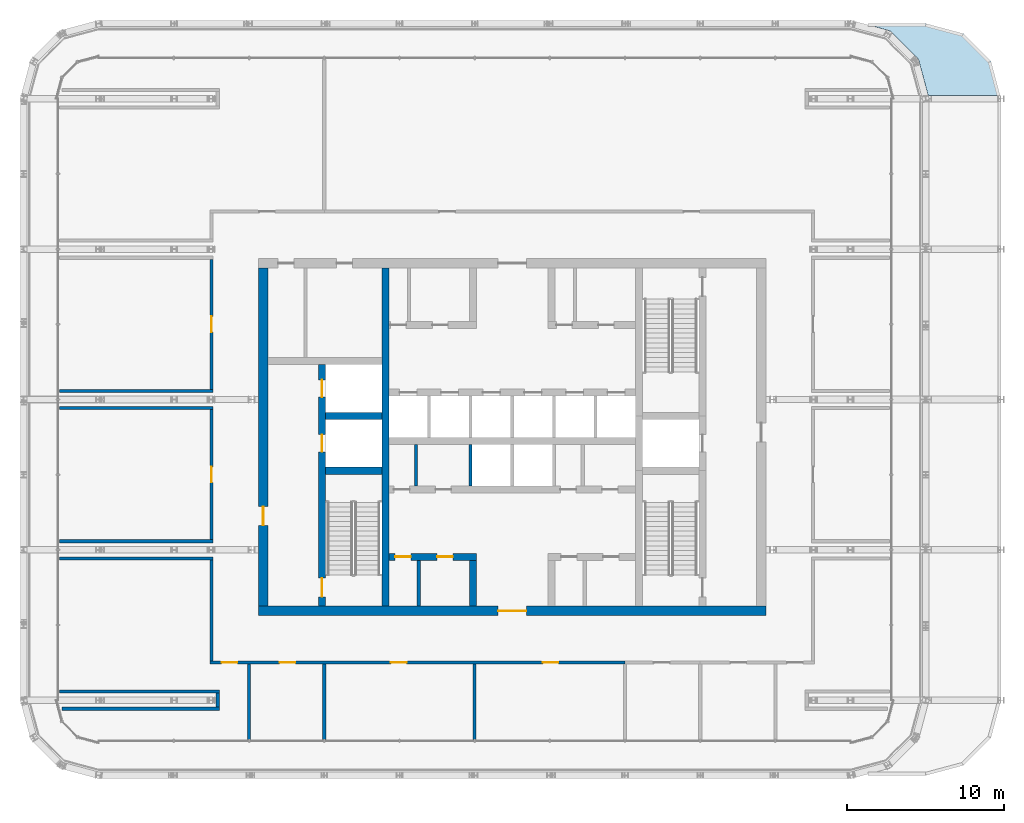
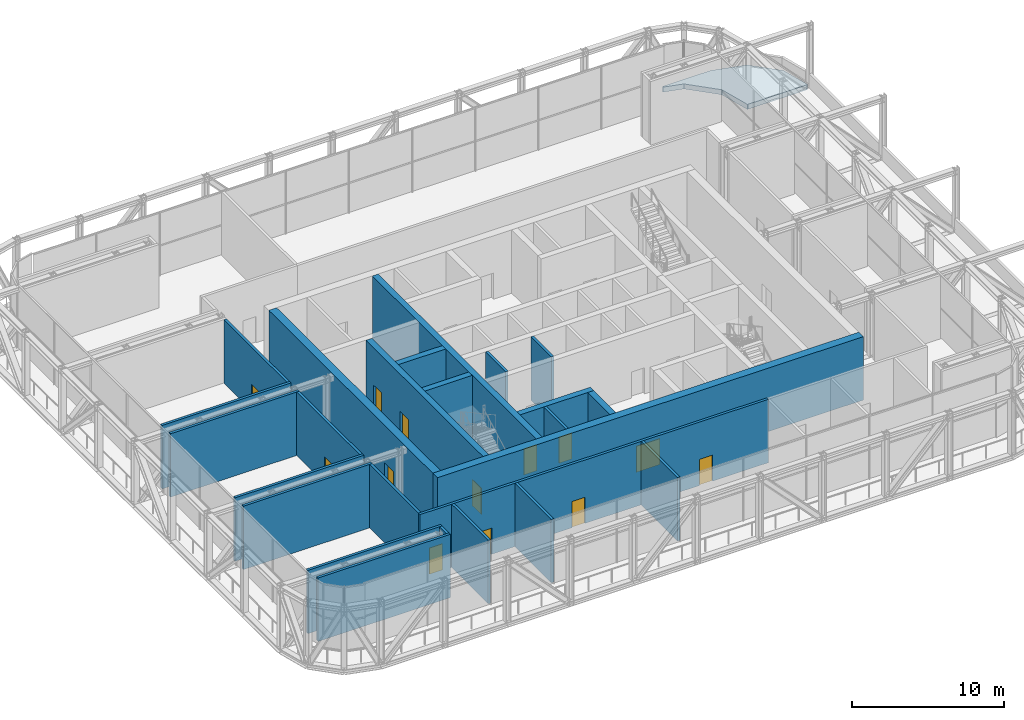
# One storey, part 18 of 26: 25 walls, 13 doors, 1 slab, 13 openings.
"""IFC4 building model written with IfcOpenShell, lengths in metres."""

import ifcopenshell
import ifcopenshell.guid

model = None  # the IFC model being written
_history = None  # IfcOwnerHistory: only IFC2X3 demands one
_inside = {}  # id of a spatial element -> (the spatial element, [elements in it])
_under = {}  # id of a project, library or spatial element -> (it, [spatial elements below it])
_declared = {}  # id of a project -> (the project, [libraries it declares])
_typed = {}  # id of a type object -> (the type object, [elements of that type])
_made_of = {}  # id of a material, layer set ... -> (it, [elements and type objects made of it])


def new_model(schema):
    """Start an empty IFC model of exactly this schema.

    Asked for "IFC4X3", IfcOpenShell would pick the latest addendum, in which some entities
    have other attributes; the version numbers below select the first issue.
    IFC2X3 requires an IfcOwnerHistory on every rooted entity: one is made here for all.
    """
    global model, _history
    if schema == "IFC4X3":
        model = ifcopenshell.file(schema_version=(4, 3, 0, 0))
    else:
        model = ifcopenshell.file(schema=schema)
    _inside.clear()
    _under.clear()
    _declared.clear()
    _typed.clear()
    _made_of.clear()
    _history = None
    if model.schema == "IFC2X3":
        org = make("IfcOrganization", Name="unknown")
        user = make(
            "IfcPersonAndOrganization",
            ThePerson=make("IfcPerson", FamilyName="unknown"),
            TheOrganization=org,
        )
        app = make(
            "IfcApplication",
            ApplicationDeveloper=org,
            Version="unknown",
            ApplicationFullName="unknown",
            ApplicationIdentifier="unknown",
        )
        _history = make(
            "IfcOwnerHistory",
            OwningUser=user,
            OwningApplication=app,
            ChangeAction="ADDED",
            CreationDate=0,
        )
    return model


def make(cls, **values):
    """One entity of the class cls with the attributes given. An attribute that is None is left unset."""
    return model.create_entity(
        cls, **{name: value for name, value in values.items() if value is not None}
    )


def rooted(cls, **values):
    """An entity with a GlobalId (a new one), such as an element, a storey or a relation."""
    return make(cls, GlobalId=ifcopenshell.guid.new(), OwnerHistory=_history, **values)


def si_unit(unit_type, name, prefix=None):
    """IfcSIUnit, for example si_unit("LENGTHUNIT", "METRE", prefix="MILLI")."""
    return make("IfcSIUnit", UnitType=unit_type, Prefix=prefix, Name=name)


def assignment(units):
    """IfcUnitAssignment: the units of a project."""
    return None if units is None else make("IfcUnitAssignment", Units=units)


def point(xyz):
    """IfcCartesianPoint."""
    return None if xyz is None else make("IfcCartesianPoint", Coordinates=xyz)


def direction(xyz):
    """IfcDirection."""
    return None if xyz is None else make("IfcDirection", DirectionRatios=xyz)


def frame(location, z_axis=None, x_axis=None):
    """IfcAxis2Placement3D, a coordinate frame: its origin and axes. An axis left out is left unset."""
    return make(
        "IfcAxis2Placement3D",
        Location=point(location),
        Axis=direction(z_axis),
        RefDirection=direction(x_axis),
    )


def frame_2d(location, x_axis=None):
    """IfcAxis2Placement2D, a coordinate frame in the plane: its origin and x axis."""
    return make(
        "IfcAxis2Placement2D", Location=point(location), RefDirection=direction(x_axis)
    )


def origin():
    """The frame at (0, 0, 0) with its axes left unset."""
    return frame((0.0, 0.0, 0.0))


def place(relative_to, where):
    """IfcLocalPlacement: puts the frame where relative to a parent placement (None: the world)."""
    return make(
        "IfcLocalPlacement", PlacementRelTo=relative_to, RelativePlacement=where
    )


def context(
    kind, dimensions, precision=None, world=None, true_north=None, identifier=None
):
    """IfcGeometricRepresentationContext, for example the 3D "Model" context."""
    return make(
        "IfcGeometricRepresentationContext",
        ContextIdentifier=identifier,
        ContextType=kind,
        CoordinateSpaceDimension=dimensions,
        Precision=precision,
        WorldCoordinateSystem=world,
        TrueNorth=true_north,
    )


def subcontext(parent, identifier, kind, view, scale=None):
    """IfcGeometricRepresentationSubContext, for example "Body" below "Model"."""
    return make(
        "IfcGeometricRepresentationSubContext",
        ContextIdentifier=identifier,
        ContextType=kind,
        ParentContext=parent,
        TargetScale=scale,
        TargetView=view,
    )


def project(units=None, contexts=None):
    """IfcProject with its units and contexts."""
    return rooted(
        "IfcProject",
        Name="project",
        RepresentationContexts=contexts,
        UnitsInContext=assignment(units),
    )


def spatial(cls, under=None, at=None, **own):
    """A site, building, storey or space (cls), placed at a placement, below another one or the project."""
    s = rooted(cls, ObjectPlacement=at, **own)
    if under is not None:
        _under.setdefault(under.id(), (under, []))[1].append(s)
    return s


def polyline(points):
    """IfcPolyline through the points."""
    return make("IfcPolyline", Points=[point(p) for p in points])


def profile(cls, at=None, kind="AREA", **sizes):
    """A parametric profile (cls). Its sizes go by their IFC names, for example OverallWidth=200.0."""
    return make(cls, ProfileType=kind, Position=at, **sizes)


def rectangle(**sizes):
    """IfcRectangleProfileDef."""
    return profile("IfcRectangleProfileDef", **sizes)


def outline(outer, holes=None, kind="AREA"):
    """IfcArbitraryClosedProfileDef: a profile drawn as a closed curve; with holes, ...WithVoids."""
    if holes is None:
        return make("IfcArbitraryClosedProfileDef", ProfileType=kind, OuterCurve=outer)
    return make(
        "IfcArbitraryProfileDefWithVoids",
        ProfileType=kind,
        OuterCurve=outer,
        InnerCurves=holes,
    )


def extrude(swept, where, along, depth):
    """IfcExtrudedAreaSolid: the profile swept, set in the frame where, extruded along a direction by depth."""
    return make(
        "IfcExtrudedAreaSolid",
        SweptArea=swept,
        Position=where,
        ExtrudedDirection=direction(along),
        Depth=depth,
    )


def shape(context_of_items, identifier, shape_type, items):
    """IfcShapeRepresentation: the items that make up one representation, for example the "Body"."""
    return make(
        "IfcShapeRepresentation",
        ContextOfItems=context_of_items,
        RepresentationIdentifier=identifier,
        RepresentationType=shape_type,
        Items=items,
    )


def material(Name=None, Category=None):
    """IfcMaterial."""
    return make("IfcMaterial", Name=Name, Category=Category)


def layer(
    of_material, thickness, ventilated=None, Name=None, Category=None, Priority=None
):
    """IfcMaterialLayer: one layer of a wall or slab, of a material (None: an air gap)."""
    return make(
        "IfcMaterialLayer",
        Material=of_material,
        LayerThickness=thickness,
        IsVentilated=ventilated,
        Name=Name,
        Category=Category,
        Priority=Priority,
    )


def layer_set(layers, Name=None):
    """IfcMaterialLayerSet."""
    return make("IfcMaterialLayerSet", MaterialLayers=layers, LayerSetName=Name)


def made_of(thing, what):
    """Note that an element or type object is made of a material, layer set ...; save() writes the relation."""
    if what is not None:
        _made_of.setdefault(what.id(), (what, []))[1].append(thing)
    return thing


def type_object(cls, material=None, **own):
    """A type object (cls), such as IfcWallType, which elements share."""
    return made_of(rooted(cls, **own), material)


def element(
    cls,
    number,
    at=None,
    inside=None,
    cuts=None,
    type_object=None,
    material=None,
    context=None,
    identifier="Body",
    shape_type=None,
    held_by="IfcProductDefinitionShape",
    body=None,
    shapes=None,
    **own,
):
    """One element of the class cls, such as IfcWall. Its Tag is "e" and its number.

    at: its placement. inside: the storey or other place that contains it. cuts: it is an
    opening in that element (IfcRelVoidsElement). A single representation is given by context,
    identifier, shape_type and body (its items); several are given by shapes. held_by: the class
    of the entity that holds the representations. save() writes the other relations.
    """
    e = rooted(cls, Tag="e%d" % number, ObjectPlacement=at, **own)
    if body is not None:
        shapes = [shape(context, identifier, shape_type, body)]
    if shapes is not None:
        e.Representation = make(held_by, Representations=shapes)
    if inside is not None:
        _inside.setdefault(inside.id(), (inside, []))[1].append(e)
    if cuts is not None:
        rooted(
            "IfcRelVoidsElement", RelatingBuildingElement=cuts, RelatedOpeningElement=e
        )
    if type_object is not None:
        _typed.setdefault(type_object.id(), (type_object, []))[1].append(e)
    return made_of(e, material)


def fill(opening, filler):
    """IfcRelFillsElement: the door or window that sits in an opening."""
    return rooted(
        "IfcRelFillsElement",
        RelatingOpeningElement=opening,
        RelatedBuildingElement=filler,
    )


def aggregate(whole, parts):
    """IfcRelAggregates: a whole, such as a stair, and the parts it consists of."""
    return rooted("IfcRelAggregates", RelatingObject=whole, RelatedObjects=parts)


def save(model, path):
    """Write the relations noted so far, then the file.

    IfcRelAggregates (storeys below a building ...), IfcRelContainedInSpatialStructure (elements
    in a storey), IfcRelDefinesByType, IfcRelAssociatesMaterial and IfcRelDeclares: one each for
    every whole, place, type object, material and project.
    """
    for whole, parts in _under.values():
        aggregate(whole, parts)
    for where, things in _inside.values():
        rooted(
            "IfcRelContainedInSpatialStructure",
            RelatedElements=things,
            RelatingStructure=where,
        )
    for kind, things in _typed.values():
        rooted("IfcRelDefinesByType", RelatedObjects=things, RelatingType=kind)
    for what, things in _made_of.values():
        rooted("IfcRelAssociatesMaterial", RelatedObjects=things, RelatingMaterial=what)
    for by, libraries in _declared.values():
        rooted("IfcRelDeclares", RelatingContext=by, RelatedDefinitions=libraries)
    model.write(path)


model = new_model("IFC4")

# Units and contexts
model_context = context("Model", 3, precision=1e-05, world=origin(), true_north=direction((0.0, 1.0)))
body_context = subcontext(model_context, "Body", "Model", "MODEL_VIEW")
ifc_project = project(units=[si_unit("LENGTHUNIT", "METRE"), si_unit("AREAUNIT", "SQUARE_METRE"), si_unit("VOLUMEUNIT", "CUBIC_METRE"), si_unit("PLANEANGLEUNIT", "RADIAN"), si_unit("MASSUNIT", "GRAM", prefix="KILO")], contexts=[model_context])

# Site, building, storey
site_placement = place(None, origin())
site = spatial("IfcSite", under=ifc_project, at=site_placement, CompositionType="ELEMENT")
building_placement = place(site_placement, origin())
building = spatial("IfcBuilding", under=site, at=building_placement, Name="Madar Terraces", CompositionType="ELEMENT")
storey_placement = place(building_placement, frame((0.0, 0.0, 233.300048828125)))
storey = spatial("IfcBuildingStorey", under=building, at=storey_placement, Name="L61", CompositionType="ELEMENT", Elevation=233.300048828125)

# Slab
ifc_material_1 = material(Name="Concrete C50/60", Category="concrete")
ifc_layer_1 = layer(ifc_material_1, 0.39990234375)
ifc_layer_set_1 = layer_set([ifc_layer_1], Name="TS1 PT terrace slab 400")
slab_type = type_object("IfcSlabType", Name="TS1 PT terrace slab 400", PredefinedType="FLOOR", material=ifc_layer_set_1)
slab_placement = place(storey_placement, frame((0.0, 0.0, -0.400146484375)))
element("IfcSlab", 1, at=slab_placement, inside=storey, type_object=slab_type, Name="Terrace roof slab L61 (2)", PredefinedType="FLOOR", context=body_context, shape_type="SweptSolid", body=[
    extrude(outline(polyline([(53.956787109375, 52.70166015625), (55.3046875, 52.340576171875), (55.305908203125, 52.340087890625), (55.306884765625, 52.33935546875), (57.139404296875, 50.5068359375), (57.14013671875, 50.505859375), (57.140625, 50.504638671875), (57.7470703125, 48.241455078125), (57.74853515625, 48.23681640625), (57.75048828125, 48.232177734375), (57.7529296875, 48.227783203125), (57.755859375, 48.2236328125), (57.75927734375, 48.2197265625), (57.762939453125, 48.21630859375), (57.766845703125, 48.21337890625), (57.771240234375, 48.210693359375), (57.775634765625, 48.20849609375), (57.7802734375, 48.206787109375), (57.78515625, 48.20556640625), (57.790283203125, 48.204833984375), (57.795166015625, 48.20458984375), (62.280029296875, 48.20458984375), (62.284912109375, 48.20458984375), (62.28955078125, 48.205322265625), (62.29443359375, 48.20654296875), (62.298828125, 48.208251953125), (62.30322265625, 48.210205078125), (62.307373046875, 48.212646484375), (62.311279296875, 48.21533203125), (62.31494140625, 48.21875), (62.318115234375, 48.22216796875), (62.321044921875, 48.22607421875), (62.32373046875, 48.22998046875), (62.325927734375, 48.234375), (62.32763671875, 48.23876953125), (62.328857421875, 48.24365234375), (62.32958984375, 48.248291015625), (62.330078125, 48.253173828125), (62.329833984375, 48.2578125), (62.329345703125, 48.2626953125), (62.328369140625, 48.267333984375), (61.760498046875, 50.386962890625), (61.7587890625, 50.39208984375), (61.756591796875, 50.396728515625), (61.75390625, 50.4013671875), (61.7509765625, 50.405517578125), (61.74755859375, 50.409423828125), (60.009521484375, 52.1474609375), (60.005615234375, 52.15087890625), (60.00146484375, 52.154052734375), (59.996826171875, 52.15673828125), (59.991943359375, 52.15869140625), (59.987060546875, 52.160400390625), (57.6064453125, 52.79833984375), (57.60205078125, 52.79931640625), (57.59765625, 52.7998046875), (57.593505859375, 52.800048828125), (53.9697265625, 52.800048828125), (53.96484375, 52.7998046875), (53.9599609375, 52.799072265625), (53.955078125, 52.7978515625), (53.950439453125, 52.796142578125), (53.946044921875, 52.7939453125), (53.941650390625, 52.79150390625), (53.937744140625, 52.788330078125), (53.93408203125, 52.78515625), (53.930908203125, 52.78125), (53.927978515625, 52.77734375), (53.92529296875, 52.77294921875), (53.92333984375, 52.7685546875), (53.921630859375, 52.763916015625), (53.920654296875, 52.759033203125), (53.919921875, 52.754150390625), (53.919921875, 52.7490234375), (53.920166015625, 52.744140625), (53.9208984375, 52.7392578125), (53.92236328125, 52.734375), (53.924072265625, 52.729736328125), (53.92626953125, 52.725341796875), (53.928955078125, 52.72119140625), (53.931884765625, 52.71728515625), (53.935302734375, 52.713623046875), (53.939208984375, 52.71044921875), (53.943359375, 52.70751953125), (53.947509765625, 52.705322265625), (53.9521484375, 52.703125), (53.956787109375, 52.70166015625)])), origin(), (0.0, 0.0, 1.0), 0.400146484375),
])

# Wall, openings, doors
ifc_material_2 = material(Name="Concrete C55/67", Category="concrete")
ifc_layer_2 = layer(ifc_material_2, 0.449951171875)
ifc_layer_set_2 = layer_set([ifc_layer_2], Name="Concrete C55/67 (CIW5 RC wall 450)")
wall_type_1 = type_object("IfcWallType", Name="CIW5 RC wall 450", PredefinedType="SHEAR", material=ifc_layer_set_2)
wall_1_placement = place(storey_placement, frame((19.050048828125, 15.60009765625, 0.0), z_axis=(0.0, 0.0, 1.0), x_axis=(0.0, 1.0, 0.0)))
wall_1 = element("IfcWall", 2, at=wall_1_placement, inside=storey, type_object=wall_type_1, Name="CORE SHAFT WALL", PredefinedType="SHEAR", context=body_context, shape_type="SweptSolid", body=[
    extrude(rectangle(XDim=15.4248046875, YDim=0.449951171875, at=frame_2d((7.71240234375, 0.0))), origin(), (0.0, 0.0, 1.0), 5.099853515625),
])
opening_1_placement = place(wall_1_placement, frame((9.85009765625, 0.0, 0.0)))
opening_1 = element("IfcOpeningElement", 3, at=opening_1_placement, cuts=wall_1, Name="Opening LD", PredefinedType="OPENING", context=body_context, shape_type="SweptSolid", body=[
    extrude(rectangle(XDim=1.10009765625, YDim=2.10009765625, at=frame_2d((0.550048828125, 1.050048828125))), frame((0.0, 0.23486328125, 0.0), z_axis=(0.0, -1.0, 0.0), x_axis=(1.0, 0.0, 0.0)), (0.0, 0.0, 1.0), 0.469970703125),
])
opening_2_placement = place(wall_1_placement, frame((13.35009765625, 0.0, 0.0)))
opening_2 = element("IfcOpeningElement", 4, at=opening_2_placement, cuts=wall_1, Name="Opening LD", PredefinedType="OPENING", context=body_context, shape_type="SweptSolid", body=[
    extrude(rectangle(XDim=1.10009765625, YDim=2.10009765625, at=frame_2d((0.550048828125, 1.050048828125))), frame((0.0, 0.23486328125, 0.0), z_axis=(0.0, -1.0, 0.0), x_axis=(1.0, 0.0, 0.0)), (0.0, 0.0, 1.0), 0.469970703125),
])
opening_3_placement = place(wall_1_placement, frame((0.60009765625, 0.0, 0.0)))
opening_3 = element("IfcOpeningElement", 5, at=opening_3_placement, cuts=wall_1, Name="Opening SD1", PredefinedType="OPENING", context=body_context, shape_type="SweptSolid", body=[
    extrude(rectangle(XDim=1.199951171875, YDim=2.10009765625, at=frame_2d((0.60009765625, 1.050048828125))), frame((0.0, 0.23486328125, 0.0), z_axis=(0.0, -1.0, 0.0), x_axis=(1.0, 0.0, 0.0)), (0.0, 0.0, 1.0), 0.469970703125),
])
ifc_material_3 = material(Name="Stainless steel panel", Category="steel")
door_type_1 = type_object("IfcDoorType", Name="Lift landing door 1100 x 2100", OperationType="DOUBLE_DOOR_SLIDING", PredefinedType="DOOR", material=ifc_material_3)
door_1_placement = place(opening_1_placement, origin())
door_1 = element("IfcDoor", 6, at=door_1_placement, inside=storey, type_object=door_type_1, Name="LIFT LANDING DOOR", OperationType="DOUBLE_DOOR_SLIDING", OverallHeight=2.10009765625, OverallWidth=1.10009765625, PredefinedType="DOOR", context=body_context, shape_type="SweptSolid", body=[
    extrude(rectangle(XDim=1.10009765625, YDim=2.10009765625, at=frame_2d((0.550048828125, 1.050048828125))), frame((0.0, 0.02490234375, 0.0), z_axis=(0.0, -1.0, 0.0), x_axis=(1.0, 0.0, 0.0)), (0.0, 0.0, 1.0), 0.050048828125),
])
fill(opening_1, door_1)
door_2_placement = place(opening_2_placement, origin())
door_2 = element("IfcDoor", 7, at=door_2_placement, inside=storey, type_object=door_type_1, Name="LIFT LANDING DOOR", OperationType="DOUBLE_DOOR_SLIDING", OverallHeight=2.10009765625, OverallWidth=1.10009765625, PredefinedType="DOOR", context=body_context, shape_type="SweptSolid", body=[
    extrude(rectangle(XDim=1.10009765625, YDim=2.10009765625, at=frame_2d((0.550048828125, 1.050048828125))), frame((0.0, 0.02490234375, 0.0), z_axis=(0.0, -1.0, 0.0), x_axis=(1.0, 0.0, 0.0)), (0.0, 0.0, 1.0), 0.050048828125),
])
fill(opening_2, door_2)
ifc_material_4 = material(Name="Steel door leaf", Category="steel")
door_type_2 = type_object("IfcDoorType", Name="Stair door 1200 x 2100", OperationType="NOTDEFINED", PredefinedType="DOOR", material=ifc_material_4)
door_3_placement = place(opening_3_placement, frame((1.199951171875, 0.0, 0.0), z_axis=(0.0, 0.0, 1.0), x_axis=(-1.0, 0.0, 0.0)))
door_3 = element("IfcDoor", 8, at=door_3_placement, inside=storey, type_object=door_type_2, Name="STAIR DOOR", OperationType="SINGLE_SWING_LEFT", OverallHeight=2.10009765625, OverallWidth=1.199951171875, PredefinedType="DOOR", context=body_context, shape_type="SweptSolid", body=[
    extrude(rectangle(XDim=1.199951171875, YDim=2.10009765625, at=frame_2d((0.60009765625, 1.050048828125))), frame((0.0, 0.02490234375, 0.0), z_axis=(0.0, -1.0, 0.0), x_axis=(1.0, 0.0, 0.0)), (0.0, 0.0, 1.0), 0.050048828125),
])
fill(opening_3, door_3)

# Walls
wall_2_placement = place(storey_placement, frame((23.10009765625, 15.60009765625, 0.0), z_axis=(0.0, 0.0, 1.0), x_axis=(0.0, 1.0, 0.0)))
element("IfcWall", 9, at=wall_2_placement, inside=storey, type_object=wall_type_1, Name="CORE SHAFT WALL", PredefinedType="SHEAR", context=body_context, shape_type="SweptSolid", body=[
    extrude(rectangle(XDim=21.599853515625, YDim=0.449951171875, at=frame_2d((10.7998046875, 0.0))), origin(), (0.0, 0.0, 1.0), 5.099853515625),
])
for number, where, z_axis, x_axis, name in (
    (10, (19.27490234375, 24.25, 0.0), (0.0, 0.0, 1.0), (1.0, 0.0, 0.0), "CORE SHAFT WALL"),
    (11, (19.27490234375, 27.75, 0.0), (0.0, 0.0, 1.0), (1.0, 0.0, 0.0), "CORE SHAFT WALL"),
):
    element("IfcWall", number, at=place(storey_placement, frame(where, z_axis=z_axis, x_axis=x_axis)), inside=storey, type_object=wall_type_1, Name=name, PredefinedType="SHEAR", context=body_context, shape_type="SweptSolid", body=[
        extrude(rectangle(XDim=3.60009765625, YDim=0.449951171875, at=frame_2d((1.800048828125, 0.0))), origin(), (0.0, 0.0, 1.0), 5.099853515625),
    ])

# Wall, openings, doors
wall_3_placement = place(storey_placement, frame((23.324951171875, 18.75, 0.0), z_axis=(0.0, 0.0, 1.0), x_axis=(1.0, 0.0, 0.0)))
wall_3 = element("IfcWall", 12, at=wall_3_placement, inside=storey, type_object=wall_type_1, Name="CORE SHAFT WALL", PredefinedType="SHEAR", context=body_context, shape_type="SweptSolid", body=[
    extrude(rectangle(XDim=5.60009765625, YDim=0.449951171875, at=frame_2d((2.800048828125, 0.0))), origin(), (0.0, 0.0, 1.0), 5.099853515625),
])
opening_4_placement = place(wall_3_placement, frame((0.40283203125, 0.0, 0.0)))
opening_4 = element("IfcOpeningElement", 13, at=opening_4_placement, cuts=wall_3, Name="Opening KD2", PredefinedType="OPENING", context=body_context, shape_type="SweptSolid", body=[
    extrude(rectangle(XDim=1.0, YDim=2.10009765625, at=frame_2d((0.5, 1.050048828125))), frame((0.0, 0.23486328125, 0.0), z_axis=(0.0, -1.0, 0.0), x_axis=(1.0, 0.0, 0.0)), (0.0, 0.0, 1.0), 0.469970703125),
])
opening_5_placement = place(wall_3_placement, frame((3.07763671875, 0.0, 0.0)))
opening_5 = element("IfcOpeningElement", 14, at=opening_5_placement, cuts=wall_3, Name="Opening KD2", PredefinedType="OPENING", context=body_context, shape_type="SweptSolid", body=[
    extrude(rectangle(XDim=1.0, YDim=2.10009765625, at=frame_2d((0.5, 1.050048828125))), frame((0.0, 0.23486328125, 0.0), z_axis=(0.0, -1.0, 0.0), x_axis=(1.0, 0.0, 0.0)), (0.0, 0.0, 1.0), 0.469970703125),
])
ifc_material_5 = material(Name="Steel door leaf", Category="steel")
door_type_3 = type_object("IfcDoorType", Name="Service room door 1000 x 2100", OperationType="NOTDEFINED", PredefinedType="DOOR", material=ifc_material_5)
door_4_placement = place(opening_4_placement, origin())
door_4 = element("IfcDoor", 15, at=door_4_placement, inside=storey, type_object=door_type_3, Name="SERVICE ROOM DOOR", OperationType="SINGLE_SWING_RIGHT", OverallHeight=2.10009765625, OverallWidth=1.0, PredefinedType="DOOR", context=body_context, shape_type="SweptSolid", body=[
    extrude(rectangle(XDim=1.0, YDim=2.10009765625, at=frame_2d((0.5, 1.050048828125))), frame((0.0, 0.02490234375, 0.0), z_axis=(0.0, -1.0, 0.0), x_axis=(1.0, 0.0, 0.0)), (0.0, 0.0, 1.0), 0.050048828125),
])
fill(opening_4, door_4)
door_5_placement = place(opening_5_placement, origin())
door_5 = element("IfcDoor", 16, at=door_5_placement, inside=storey, type_object=door_type_3, Name="SERVICE ROOM DOOR", OperationType="SINGLE_SWING_LEFT", OverallHeight=2.10009765625, OverallWidth=1.0, PredefinedType="DOOR", context=body_context, shape_type="SweptSolid", body=[
    extrude(rectangle(XDim=1.0, YDim=2.10009765625, at=frame_2d((0.5, 1.050048828125))), frame((0.0, 0.02490234375, 0.0), z_axis=(0.0, -1.0, 0.0), x_axis=(1.0, 0.0, 0.0)), (0.0, 0.0, 1.0), 0.050048828125),
])
fill(opening_5, door_5)

# Wall
wall_4_placement = place(storey_placement, frame((28.699951171875, 15.60009765625, 0.0), z_axis=(0.0, 0.0, 1.0), x_axis=(0.0, 1.0, 0.0)))
element("IfcWall", 17, at=wall_4_placement, inside=storey, type_object=wall_type_1, Name="CORE SHAFT WALL", PredefinedType="SHEAR", context=body_context, shape_type="SweptSolid", body=[
    extrude(rectangle(XDim=2.9248046875, YDim=0.449951171875, at=frame_2d((1.46240234375, 0.0))), origin(), (0.0, 0.0, 1.0), 5.099853515625),
])

# Wall, opening, door
ifc_material_6 = material(Name="Concrete C55/67", Category="concrete")
ifc_layer_3 = layer(ifc_material_6, 0.60009765625)
ifc_layer_set_3 = layer_set([ifc_layer_3], Name="Concrete C55/67 (CRW5 RC wall 600)")
wall_type_2 = type_object("IfcWallType", Name="CRW5 RC wall 600", PredefinedType="SHEAR", material=ifc_layer_set_3)
wall_5_placement = place(storey_placement, frame((15.0, 15.300048828125, 0.0), z_axis=(0.0, 0.0, 1.0), x_axis=(1.0, 0.0, 0.0)))
wall_5 = element("IfcWall", 18, at=wall_5_placement, inside=storey, type_object=wall_type_2, Name="CORE OUTER WALL", PredefinedType="SHEAR", context=body_context, shape_type="SweptSolid", body=[
    extrude(rectangle(XDim=32.39990234375, YDim=0.60009765625, at=frame_2d((16.199951171875, 0.0))), origin(), (0.0, 0.0, 1.0), 5.099853515625),
])
opening_6_placement = place(wall_5_placement, frame((15.300048828125, 0.0, 0.0)))
opening_6 = element("IfcOpeningElement", 19, at=opening_6_placement, cuts=wall_5, Name="Opening KD1", PredefinedType="OPENING", context=body_context, shape_type="SweptSolid", body=[
    extrude(rectangle(XDim=1.800048828125, YDim=2.10009765625, at=frame_2d((0.89990234375, 1.050048828125))), frame((0.0, 0.31005859375, 0.0), z_axis=(0.0, -1.0, 0.0), x_axis=(1.0, 0.0, 0.0)), (0.0, 0.0, 1.0), 0.6201171875),
])
ifc_material_7 = material(Name="Steel door leaf", Category="steel")
door_type_4 = type_object("IfcDoorType", Name="Lobby door pair 1800 x 2100", OperationType="DOUBLE_DOOR_SINGLE_SWING", PredefinedType="DOOR", material=ifc_material_7)
door_6_placement = place(opening_6_placement, frame((1.800048828125, 0.0, 0.0), z_axis=(0.0, 0.0, 1.0), x_axis=(-1.0, 0.0, 0.0)))
door_6 = element("IfcDoor", 20, at=door_6_placement, inside=storey, type_object=door_type_4, Name="LIFT LOBBY DOOR", OperationType="DOUBLE_DOOR_SINGLE_SWING", OverallHeight=2.10009765625, OverallWidth=1.800048828125, PredefinedType="DOOR", context=body_context, shape_type="SweptSolid", body=[
    extrude(rectangle(XDim=1.800048828125, YDim=2.10009765625, at=frame_2d((0.89990234375, 1.050048828125))), frame((0.0, 0.02490234375, 0.0), z_axis=(0.0, -1.0, 0.0), x_axis=(1.0, 0.0, 0.0)), (0.0, 0.0, 1.0), 0.050048828125),
])
fill(opening_6, door_6)

wall_6_placement = place(storey_placement, frame((15.300048828125, 15.60009765625, 0.0), z_axis=(0.0, 0.0, 1.0), x_axis=(0.0, 1.0, 0.0)))
wall_6 = element("IfcWall", 21, at=wall_6_placement, inside=storey, type_object=wall_type_2, Name="CORE OUTER WALL", PredefinedType="SHEAR", context=body_context, shape_type="SweptSolid", body=[
    extrude(rectangle(XDim=21.599853515625, YDim=0.60009765625, at=frame_2d((10.7998046875, 0.0))), origin(), (0.0, 0.0, 1.0), 5.099853515625),
])
opening_7_placement = place(wall_6_placement, frame((5.159912109375, 0.0, 0.0)))
opening_7 = element("IfcOpeningElement", 22, at=opening_7_placement, cuts=wall_6, Name="Opening SD1", PredefinedType="OPENING", context=body_context, shape_type="SweptSolid", body=[
    extrude(rectangle(XDim=1.199951171875, YDim=2.10009765625, at=frame_2d((0.60009765625, 1.050048828125))), frame((0.0, 0.31005859375, 0.0), z_axis=(0.0, -1.0, 0.0), x_axis=(1.0, 0.0, 0.0)), (0.0, 0.0, 1.0), 0.6201171875),
])
door_7_placement = place(opening_7_placement, frame((1.199951171875, 0.0, 0.0), z_axis=(0.0, 0.0, 1.0), x_axis=(-1.0, 0.0, 0.0)))
door_7 = element("IfcDoor", 23, at=door_7_placement, inside=storey, type_object=door_type_2, Name="STAIR DOOR", OperationType="SINGLE_SWING_RIGHT", OverallHeight=2.10009765625, OverallWidth=1.199951171875, PredefinedType="DOOR", context=body_context, shape_type="SweptSolid", body=[
    extrude(rectangle(XDim=1.199951171875, YDim=2.10009765625, at=frame_2d((0.60009765625, 1.050048828125))), frame((0.0, 0.02490234375, 0.0), z_axis=(0.0, -1.0, 0.0), x_axis=(1.0, 0.0, 0.0)), (0.0, 0.0, 1.0), 0.050048828125),
])
fill(opening_7, door_7)

# Walls
ifc_material_8 = material(Name="Masonry blockwork", Category="masonry")
ifc_layer_4 = layer(ifc_material_8, 0.199951171875)
ifc_layer_set_4 = layer_set([ifc_layer_4], Name="Core partition 200 blockwork")
wall_type_3 = type_object("IfcWallType", Name="Core partition 200 blockwork", PredefinedType="PARTITIONING", material=ifc_layer_set_4)
wall_7_placement = place(storey_placement, frame((25.064697265625, 23.27490234375, 0.0), z_axis=(0.0, 0.0, 1.0), x_axis=(0.0, 1.0, 0.0)))
element("IfcWall", 24, at=wall_7_placement, inside=storey, type_object=wall_type_3, Name="SERVICE ROOM PARTITION", PredefinedType="PARTITIONING", context=body_context, shape_type="SweptSolid", body=[
    extrude(rectangle(XDim=2.650146484375, YDim=0.199951171875, at=frame_2d((1.3251953125, 0.0))), origin(), (0.0, 0.0, 1.0), 5.099853515625),
])
wall_8_placement = place(storey_placement, frame((25.23046875, 15.60009765625, 0.0), z_axis=(0.0, 0.0, 1.0), x_axis=(0.0, 1.0, 0.0)))
element("IfcWall", 25, at=wall_8_placement, inside=storey, type_object=wall_type_3, Name="SERVICE ROOM PARTITION", PredefinedType="PARTITIONING", context=body_context, shape_type="SweptSolid", body=[
    extrude(rectangle(XDim=2.9248046875, YDim=0.199951171875, at=frame_2d((1.46240234375, 0.0))), origin(), (0.0, 0.0, 1.0), 5.099853515625),
])
ifc_material_9 = material(Name="Concrete C40/50", Category="concrete")
ifc_layer_5 = layer(ifc_material_9, 0.199951171875)
ifc_layer_set_5 = layer_set([ifc_layer_5], Name="Core shaft dividing wall 200 C40/50")
wall_type_4 = type_object("IfcWallType", Name="Core shaft dividing wall 200 C40/50", PredefinedType="SOLIDWALL", material=ifc_layer_set_5)
wall_9_placement = place(storey_placement, frame((28.541748046875, 23.27490234375, 0.0), z_axis=(0.0, 0.0, 1.0), x_axis=(0.0, 1.0, 0.0)))
element("IfcWall", 26, at=wall_9_placement, inside=storey, type_object=wall_type_4, Name="SHAFT DIVIDING WALL", PredefinedType="SOLIDWALL", context=body_context, shape_type="SweptSolid", body=[
    extrude(rectangle(XDim=2.650146484375, YDim=0.199951171875, at=frame_2d((1.3251953125, 0.0))), origin(), (0.0, 0.0, 1.0), 5.099853515625),
])
ifc_material_10 = material(Name="Blockwork", Category="masonry")
ifc_layer_6 = layer(ifc_material_10, 0.199951171875)
ifc_layer_set_6 = layer_set([ifc_layer_6], Name="Partition 200 EI 120")
wall_type_5 = type_object("IfcWallType", Name="Partition 200 EI 120", PredefinedType="PARTITIONING", material=ifc_layer_set_6)
wall_10_placement = place(storey_placement, frame((2.449951171875, 9.050048828125, 0.0), z_axis=(0.0, 0.0, 1.0), x_axis=(1.0, 0.0, 0.0)))
element("IfcWall", 27, at=wall_10_placement, inside=storey, type_object=wall_type_5, Name="Wall FIRE WATER TANK ROOM / TRUSS SLOT", PredefinedType="PARTITIONING", context=body_context, shape_type="SweptSolid", body=[
    extrude(rectangle(XDim=10.050048828125, YDim=0.199951171875, at=frame_2d((5.02490234375, 0.0))), origin(), (0.0, 0.0, 1.0), 5.099853515625),
])
wall_11_placement = place(storey_placement, frame((2.300048828125, 10.14990234375, 0.0), z_axis=(0.0, 0.0, 1.0), x_axis=(1.0, 0.0, 0.0)))
element("IfcWall", 28, at=wall_11_placement, inside=storey, type_object=wall_type_5, Name="Wall FIRE WATER TANK ROOM / TRUSS SLOT", PredefinedType="PARTITIONING", context=body_context, shape_type="SweptSolid", body=[
    extrude(rectangle(XDim=10.199951171875, YDim=0.199951171875, at=frame_2d((5.10009765625, 0.0))), origin(), (0.0, 0.0, 1.0), 5.099853515625),
])

# Wall, openings, doors
wall_12_placement = place(storey_placement, frame((38.39990234375, 12.0, 0.0), z_axis=(0.0, 0.0, 1.0), x_axis=(-1.0, 0.0, 0.0)))
wall_12 = element("IfcWall", 29, at=wall_12_placement, inside=storey, type_object=wall_type_5, Name="Wall FIRE WATER TANK ROOM + PUMP PLANT ROOM", PredefinedType="PARTITIONING", context=body_context, shape_type="SweptSolid", body=[
    extrude(rectangle(XDim=26.5, YDim=0.199951171875, at=frame_2d((13.25, 0.0))), origin(), (0.0, 0.0, 1.0), 5.099853515625),
])
opening_8_placement = place(wall_12_placement, frame((24.75, 0.0, 0.0)))
opening_8 = element("IfcOpeningElement", 30, at=opening_8_placement, cuts=wall_12, Name="Opening D33", PredefinedType="OPENING", context=body_context, shape_type="SweptSolid", body=[
    extrude(rectangle(XDim=1.0, YDim=2.10009765625, at=frame_2d((0.5, 1.050048828125))), frame((0.0, 0.10986328125, 0.0), z_axis=(0.0, -1.0, 0.0), x_axis=(1.0, 0.0, 0.0)), (0.0, 0.0, 1.0), 0.219970703125),
])
opening_9_placement = place(wall_12_placement, frame((21.050048828125, 0.0, 0.0)))
opening_9 = element("IfcOpeningElement", 31, at=opening_9_placement, cuts=wall_12, Name="Opening D33", PredefinedType="OPENING", context=body_context, shape_type="SweptSolid", body=[
    extrude(rectangle(XDim=1.0, YDim=2.10009765625, at=frame_2d((0.5, 1.050048828125))), frame((0.0, 0.10986328125, 0.0), z_axis=(0.0, -1.0, 0.0), x_axis=(1.0, 0.0, 0.0)), (0.0, 0.0, 1.0), 0.219970703125),
])
opening_10_placement = place(wall_12_placement, frame((13.949951171875, 0.0, 0.0)))
opening_10 = element("IfcOpeningElement", 32, at=opening_10_placement, cuts=wall_12, Name="Opening D33", PredefinedType="OPENING", context=body_context, shape_type="SweptSolid", body=[
    extrude(rectangle(XDim=1.0, YDim=2.10009765625, at=frame_2d((0.5, 1.050048828125))), frame((0.0, 0.10986328125, 0.0), z_axis=(0.0, -1.0, 0.0), x_axis=(1.0, 0.0, 0.0)), (0.0, 0.0, 1.0), 0.219970703125),
])
opening_11_placement = place(wall_12_placement, frame((4.25, 0.0, 0.0)))
opening_11 = element("IfcOpeningElement", 33, at=opening_11_placement, cuts=wall_12, Name="Opening D33", PredefinedType="OPENING", context=body_context, shape_type="SweptSolid", body=[
    extrude(rectangle(XDim=1.0, YDim=2.10009765625, at=frame_2d((0.5, 1.050048828125))), frame((0.0, 0.10986328125, 0.0), z_axis=(0.0, -1.0, 0.0), x_axis=(1.0, 0.0, 0.0)), (0.0, 0.0, 1.0), 0.219970703125),
])
ifc_material_11 = material(Name="Timber door leaf, fire-rated", Category="wood")
door_type_5 = type_object("IfcDoorType", Name="Podium door 1000 x 2100 FD90S", OperationType="NOTDEFINED", PredefinedType="DOOR", material=ifc_material_11)
door_8_placement = place(opening_8_placement, origin())
door_8 = element("IfcDoor", 34, at=door_8_placement, inside=storey, type_object=door_type_5, Name="Door FIRE WATER TANK ROOM / RING CORRIDOR", OperationType="SINGLE_SWING_LEFT", OverallHeight=2.10009765625, OverallWidth=1.0, PredefinedType="DOOR", context=body_context, shape_type="SweptSolid", body=[
    extrude(rectangle(XDim=1.0, YDim=2.10009765625, at=frame_2d((0.5, 1.050048828125))), frame((0.0, 0.02490234375, 0.0), z_axis=(0.0, -1.0, 0.0), x_axis=(1.0, 0.0, 0.0)), (0.0, 0.0, 1.0), 0.050048828125),
])
fill(opening_8, door_8)
door_9_placement = place(opening_9_placement, origin())
door_9 = element("IfcDoor", 35, at=door_9_placement, inside=storey, type_object=door_type_5, Name="Door STORE PLANT ROOM / RING CORRIDOR", OperationType="SINGLE_SWING_LEFT", OverallHeight=2.10009765625, OverallWidth=1.0, PredefinedType="DOOR", context=body_context, shape_type="SweptSolid", body=[
    extrude(rectangle(XDim=1.0, YDim=2.10009765625, at=frame_2d((0.5, 1.050048828125))), frame((0.0, 0.02490234375, 0.0), z_axis=(0.0, -1.0, 0.0), x_axis=(1.0, 0.0, 0.0)), (0.0, 0.0, 1.0), 0.050048828125),
])
fill(opening_9, door_9)
door_10_placement = place(opening_10_placement, origin())
door_10 = element("IfcDoor", 36, at=door_10_placement, inside=storey, type_object=door_type_5, Name="Door PUMP PLANT ROOM / RING CORRIDOR", OperationType="SINGLE_SWING_RIGHT", OverallHeight=2.10009765625, OverallWidth=1.0, PredefinedType="DOOR", context=body_context, shape_type="SweptSolid", body=[
    extrude(rectangle(XDim=1.0, YDim=2.10009765625, at=frame_2d((0.5, 1.050048828125))), frame((0.0, 0.02490234375, 0.0), z_axis=(0.0, -1.0, 0.0), x_axis=(1.0, 0.0, 0.0)), (0.0, 0.0, 1.0), 0.050048828125),
])
fill(opening_10, door_10)
door_11_placement = place(opening_11_placement, origin())
door_11 = element("IfcDoor", 37, at=door_11_placement, inside=storey, type_object=door_type_5, Name="Door TRANSFER PUMP PLANT ROOM / RING CORRIDOR", OperationType="SINGLE_SWING_LEFT", OverallHeight=2.10009765625, OverallWidth=1.0, PredefinedType="DOOR", context=body_context, shape_type="SweptSolid", body=[
    extrude(rectangle(XDim=1.0, YDim=2.10009765625, at=frame_2d((0.5, 1.050048828125))), frame((0.0, 0.02490234375, 0.0), z_axis=(0.0, -1.0, 0.0), x_axis=(1.0, 0.0, 0.0)), (0.0, 0.0, 1.0), 0.050048828125),
])
fill(opening_11, door_11)

# Walls
for number, where, z_axis, x_axis, name in (
    (38, (2.300048828125, 18.64990234375, 0.0), (0.0, 0.0, 1.0), (1.0, 0.0, 0.0), "Wall FIRE WATER TANK ROOM / TRUSS SLOT"),
    (39, (2.300048828125, 19.75, 0.0), (0.0, 0.0, 1.0), (1.0, 0.0, 0.0), "Wall CHILLER PLANT ROOM / TRUSS SLOT"),
    (40, (2.300048828125, 28.25, 0.0), (0.0, 0.0, 1.0), (1.0, 0.0, 0.0), "Wall CHILLER PLANT ROOM / TRUSS SLOT"),
    (41, (2.300048828125, 29.35009765625, 0.0), (0.0, 0.0, 1.0), (1.0, 0.0, 0.0), "Wall ELECTRICAL SWITCH ROOM / TRUSS SLOT"),
):
    element("IfcWall", number, at=place(storey_placement, frame(where, z_axis=z_axis, x_axis=x_axis)), inside=storey, type_object=wall_type_5, Name=name, PredefinedType="PARTITIONING", context=body_context, shape_type="SweptSolid", body=[
        extrude(rectangle(XDim=9.800048828125, YDim=0.199951171875, at=frame_2d((4.89990234375, 0.0))), origin(), (0.0, 0.0, 1.0), 5.099853515625),
    ])
wall_13_placement = place(storey_placement, frame((12.0, 12.10009765625, 0.0), z_axis=(0.0, 0.0, 1.0), x_axis=(0.0, 1.0, 0.0)))
element("IfcWall", 42, at=wall_13_placement, inside=storey, type_object=wall_type_5, Name="Wall FIRE WATER TANK ROOM / RING CORRIDOR", PredefinedType="PARTITIONING", context=body_context, shape_type="SweptSolid", body=[
    extrude(rectangle(XDim=6.449951171875, YDim=0.199951171875, at=frame_2d((3.22509765625, 0.0))), origin(), (0.0, 0.0, 1.0), 5.099853515625),
])

# Wall, opening, door
wall_14_placement = place(storey_placement, frame((12.0, 19.85009765625, 0.0), z_axis=(0.0, 0.0, 1.0), x_axis=(0.0, 1.0, 0.0)))
wall_14 = element("IfcWall", 43, at=wall_14_placement, inside=storey, type_object=wall_type_5, Name="Wall CHILLER PLANT ROOM / RING CORRIDOR", PredefinedType="PARTITIONING", context=body_context, shape_type="SweptSolid", body=[
    extrude(rectangle(XDim=8.2998046875, YDim=0.199951171875, at=frame_2d((4.14990234375, 0.0))), origin(), (0.0, 0.0, 1.0), 5.099853515625),
])
opening_12_placement = place(wall_14_placement, frame((3.64990234375, 0.0, 0.0)))
opening_12 = element("IfcOpeningElement", 44, at=opening_12_placement, cuts=wall_14, Name="Opening D33", PredefinedType="OPENING", context=body_context, shape_type="SweptSolid", body=[
    extrude(rectangle(XDim=1.0, YDim=2.10009765625, at=frame_2d((0.5, 1.050048828125))), frame((0.0, 0.10986328125, 0.0), z_axis=(0.0, -1.0, 0.0), x_axis=(1.0, 0.0, 0.0)), (0.0, 0.0, 1.0), 0.219970703125),
])
door_12_placement = place(opening_12_placement, origin())
door_12 = element("IfcDoor", 45, at=door_12_placement, inside=storey, type_object=door_type_5, Name="Door CHILLER PLANT ROOM / RING CORRIDOR", OperationType="SINGLE_SWING_LEFT", OverallHeight=2.10009765625, OverallWidth=1.0, PredefinedType="DOOR", context=body_context, shape_type="SweptSolid", body=[
    extrude(rectangle(XDim=1.0, YDim=2.10009765625, at=frame_2d((0.5, 1.050048828125))), frame((0.0, 0.02490234375, 0.0), z_axis=(0.0, -1.0, 0.0), x_axis=(1.0, 0.0, 0.0)), (0.0, 0.0, 1.0), 0.050048828125),
])
fill(opening_12, door_12)

wall_15_placement = place(storey_placement, frame((12.0, 29.449951171875, 0.0), z_axis=(0.0, 0.0, 1.0), x_axis=(0.0, 1.0, 0.0)))
wall_15 = element("IfcWall", 46, at=wall_15_placement, inside=storey, type_object=wall_type_5, Name="Wall ELECTRICAL SWITCH ROOM / RING CORRIDOR", PredefinedType="PARTITIONING", context=body_context, shape_type="SweptSolid", body=[
    extrude(rectangle(XDim=8.300048828125, YDim=0.199951171875, at=frame_2d((4.14990234375, 0.0))), origin(), (0.0, 0.0, 1.0), 5.099853515625),
])
opening_13_placement = place(wall_15_placement, frame((3.64990234375, 0.0, 0.0)))
opening_13 = element("IfcOpeningElement", 47, at=opening_13_placement, cuts=wall_15, Name="Opening D33", PredefinedType="OPENING", context=body_context, shape_type="SweptSolid", body=[
    extrude(rectangle(XDim=1.0, YDim=2.10009765625, at=frame_2d((0.5, 1.050048828125))), frame((0.0, 0.10986328125, 0.0), z_axis=(0.0, -1.0, 0.0), x_axis=(1.0, 0.0, 0.0)), (0.0, 0.0, 1.0), 0.219970703125),
])
door_13_placement = place(opening_13_placement, origin())
door_13 = element("IfcDoor", 48, at=door_13_placement, inside=storey, type_object=door_type_5, Name="Door ELECTRICAL SWITCH ROOM / RING CORRIDOR", OperationType="SINGLE_SWING_LEFT", OverallHeight=2.10009765625, OverallWidth=1.0, PredefinedType="DOOR", context=body_context, shape_type="SweptSolid", body=[
    extrude(rectangle(XDim=1.0, YDim=2.10009765625, at=frame_2d((0.5, 1.050048828125))), frame((0.0, 0.02490234375, 0.0), z_axis=(0.0, -1.0, 0.0), x_axis=(1.0, 0.0, 0.0)), (0.0, 0.0, 1.0), 0.050048828125),
])
fill(opening_13, door_13)

# Walls
wall_16_placement = place(storey_placement, frame((12.39990234375, 9.14990234375, 0.0), z_axis=(0.0, 0.0, 1.0), x_axis=(0.0, 1.0, 0.0)))
element("IfcWall", 49, at=wall_16_placement, inside=storey, type_object=wall_type_5, Name="Wall FIRE WATER TANK ROOM / TRUSS SLOT", PredefinedType="PARTITIONING", context=body_context, shape_type="SweptSolid", body=[
    extrude(rectangle(XDim=0.900146484375, YDim=0.199951171875, at=frame_2d((0.4501953125, 0.0))), origin(), (0.0, 0.0, 1.0), 5.099853515625),
])
for number, where, z_axis, x_axis, name in (
    (50, (14.39990234375, 7.10009765625, 0.0), (0.0, 0.0, 1.0), (0.0, 1.0, 0.0), "Wall FIRE WATER TANK ROOM / STORE PLANT ROOM"),
    (51, (19.199951171875, 7.10009765625, 0.0), (0.0, 0.0, 1.0), (0.0, 1.0, 0.0), "Wall STORE PLANT ROOM / PUMP PLANT ROOM"),
    (52, (28.800048828125, 7.10009765625, 0.0), (0.0, 0.0, 1.0), (0.0, 1.0, 0.0), "Wall PUMP PLANT ROOM / TRANSFER PUMP PLANT ROOM"),
):
    element("IfcWall", number, at=place(storey_placement, frame(where, z_axis=z_axis, x_axis=x_axis)), inside=storey, type_object=wall_type_5, Name=name, PredefinedType="PARTITIONING", context=body_context, shape_type="SweptSolid", body=[
        extrude(rectangle(XDim=4.7998046875, YDim=0.199951171875, at=frame_2d((2.39990234375, 0.0))), origin(), (0.0, 0.0, 1.0), 5.099853515625),
    ])

save(model, "model.ifc")
